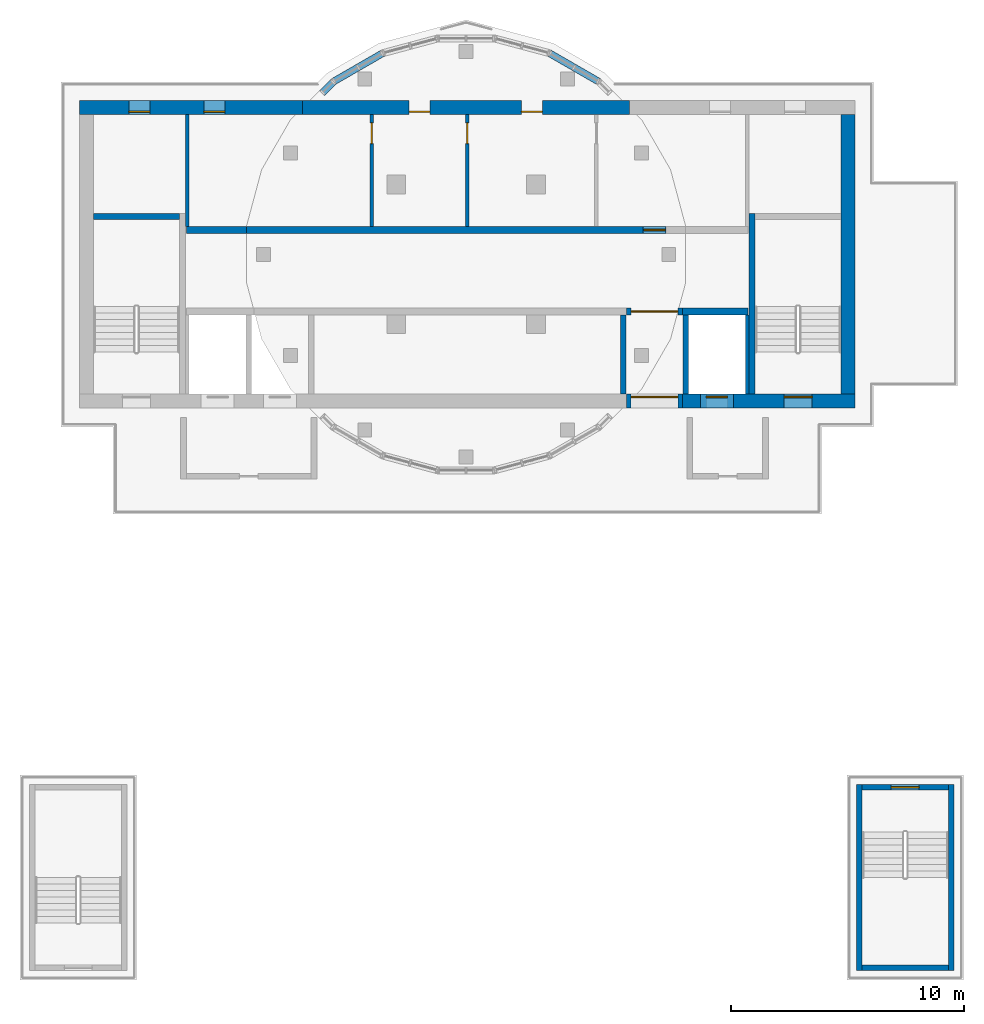
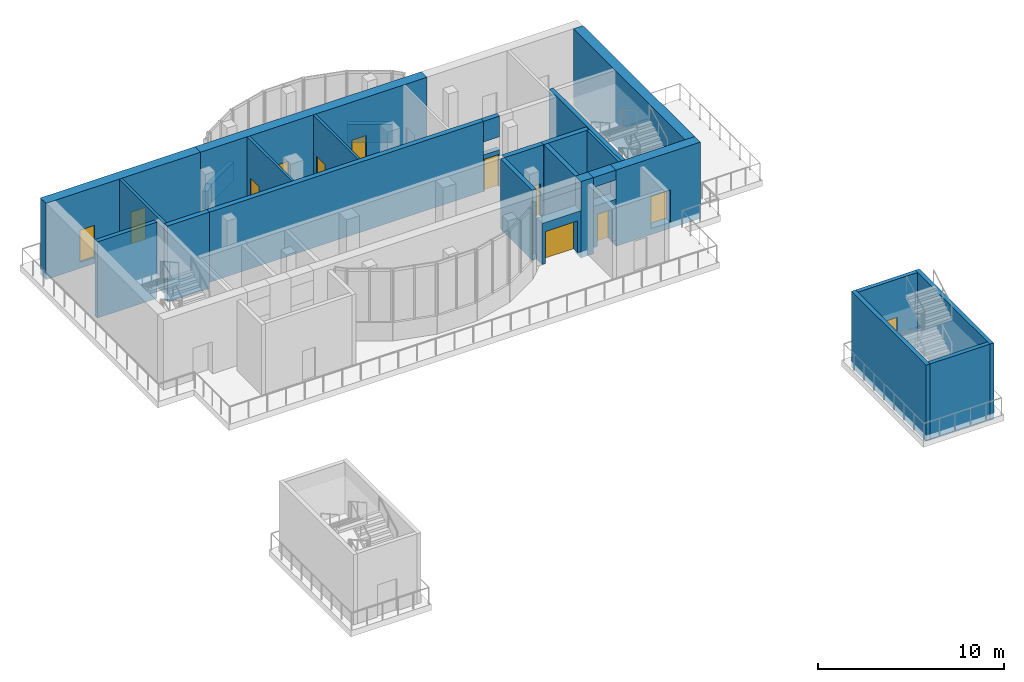
# One storey, part 5 of 10: 29 walls, 12 doors, 12 openings.
"""IFC4 building model written with IfcOpenShell, lengths in metres."""

from ifc_helpers import new_model, si_unit, direction, frame, frame_2d, origin, place, context, subcontext, project, spatial, rectangle, extrude, source, transform, mapped, material, layer, layer_set, type_object, element, fill, save


model = new_model("IFC4")

# Units and contexts
model_context = context("Model", 3, precision=1e-05, world=origin(), true_north=direction((0.0, 1.0)))
body_context = subcontext(model_context, "Body", "Model", "MODEL_VIEW")
ifc_project = project(units=[si_unit("LENGTHUNIT", "METRE"), si_unit("AREAUNIT", "SQUARE_METRE"), si_unit("VOLUMEUNIT", "CUBIC_METRE"), si_unit("PLANEANGLEUNIT", "RADIAN"), si_unit("MASSUNIT", "GRAM", prefix="KILO")], contexts=[model_context])

# Site, building, storey
site_placement = place(None, origin())
site = spatial("IfcSite", under=ifc_project, at=site_placement, CompositionType="ELEMENT")
building_placement = place(site_placement, origin())
building = spatial("IfcBuilding", under=site, at=building_placement, Name="Kilnfold Tower and Market Hall", CompositionType="ELEMENT")
storey_placement = place(building_placement, frame((0.0, 0.0, 323.800048828125)))
storey = spatial("IfcBuildingStorey", under=building, at=storey_placement, Name="L81 Crown Plant", CompositionType="ELEMENT", Elevation=323.800048828125)

# Walls
ifc_material_1 = material(Name="Concrete C50", Category="concrete")
ifc_layer_1 = layer(ifc_material_1, 0.25)
ifc_layer_set_1 = layer_set([ifc_layer_1], Name="Concrete C50")
wall_type_1 = type_object("IfcWallType", Name="CORE WALL 250 C50", PredefinedType="SHEAR", material=ifc_layer_set_1)
shared_shape_1 = source(origin(), body_context, "Body", "SweptSolid", [
    extrude(rectangle(XDim=7.75, YDim=0.25, at=frame_2d((3.875, 0.0))), origin(), (0.0, 0.0, 1.0), 5.0),
])
wall_1_placement = place(storey_placement, frame((13.27490234375, 9.0, -0.400146484375), z_axis=(0.0, 0.0, 1.0), x_axis=(0.0, 1.0, 0.0)))
element("IfcWall", 1, at=wall_1_placement, inside=storey, type_object=wall_type_1, Name="Stair enclosure ST2", PredefinedType="SHEAR", context=body_context, shape_type="MappedRepresentation", body=[
    mapped(shared_shape_1, transform((0.0, 0.0, 0.0))),
])
shared_shape_2 = source(origin(), body_context, "Body", "SweptSolid", [
    extrude(rectangle(XDim=3.699951171875, YDim=0.25, at=frame_2d((1.85009765625, 0.0))), origin(), (0.0, 0.0, 1.0), 5.0),
])
for number, where, z_axis, x_axis, name in (
    (2, (-15.0, 16.625, -0.400146484375), (0.0, 0.0, 1.0), (1.0, 0.0, 0.0), "Stair enclosure ST1"),
    (3, (18.0, -15.625, -0.400146484375), (0.0, 0.0, 1.0), (1.0, 0.0, 0.0), "Stair enclosure ST4"),
):
    element("IfcWall", number, at=place(storey_placement, frame(where, z_axis=z_axis, x_axis=x_axis)), inside=storey, type_object=wall_type_1, Name=name, PredefinedType="SHEAR", context=body_context, shape_type="MappedRepresentation", body=[
        mapped(shared_shape_2, transform((0.0, 0.0, 0.0))),
    ])

# Wall, opening, door
wall_2_placement = place(storey_placement, frame((18.0, -7.875, -0.400146484375), z_axis=(0.0, 0.0, 1.0), x_axis=(1.0, 0.0, 0.0)))
wall_2 = element("IfcWall", 4, at=wall_2_placement, inside=storey, type_object=wall_type_1, Name="Stair enclosure ST4", PredefinedType="SHEAR", context=body_context, shape_type="MappedRepresentation", body=[
    mapped(shared_shape_2, transform((0.0, 0.0, 0.0))),
])
opening_1_placement = place(wall_2_placement, frame((1.25, 0.0, 0.39990234375)))
opening_1 = element("IfcOpeningElement", 5, at=opening_1_placement, cuts=wall_2, Name="Opening SD1", PredefinedType="OPENING", context=body_context, shape_type="SweptSolid", body=[
    extrude(rectangle(XDim=1.199951171875, YDim=2.10009765625, at=frame_2d((0.60009765625, 1.050048828125))), frame((0.0, 0.135009765625, 0.0), z_axis=(0.0, -1.0, 0.0), x_axis=(1.0, 0.0, 0.0)), (0.0, 0.0, 1.0), 0.27001953125),
])
ifc_material_2 = material(Name="Steel door set with fire-resisting leaf", Category="steel")
door_type_1 = type_object("IfcDoorType", Name="STAIR FLOOR DOOR 1200X2100", OperationType="NOTDEFINED", PredefinedType="DOOR", material=ifc_material_2)
door_1_placement = place(opening_1_placement, origin())
door_1 = element("IfcDoor", 6, at=door_1_placement, inside=storey, type_object=door_type_1, Name="Exit stair ST4 door", OperationType="DOUBLE_DOOR_SINGLE_SWING", OverallHeight=2.10009765625, OverallWidth=1.199951171875, PredefinedType="DOOR", context=body_context, shape_type="SweptSolid", body=[
    extrude(rectangle(XDim=1.199951171875, YDim=2.10009765625, at=frame_2d((0.60009765625, 1.050048828125))), frame((0.0, 0.02490234375, 0.0), z_axis=(0.0, -1.0, 0.0), x_axis=(1.0, 0.0, 0.0)), (0.0, 0.0, 1.0), 0.050048828125),
])
fill(opening_1, door_1)

# Walls
shared_shape_3 = source(origin(), body_context, "Body", "SweptSolid", [
    extrude(rectangle(XDim=8.0, YDim=0.25, at=frame_2d((4.0, 0.0))), origin(), (0.0, 0.0, 1.0), 5.0),
])
for number, where, z_axis, x_axis, name in (
    (7, (17.875, -15.75, -0.400146484375), (0.0, 0.0, 1.0), (0.0, 1.0, 0.0), "Stair enclosure ST4"),
    (8, (21.824951171875, -15.75, -0.400146484375), (0.0, 0.0, 1.0), (0.0, 1.0, 0.0), "Stair enclosure ST4"),
):
    element("IfcWall", number, at=place(storey_placement, frame(where, z_axis=z_axis, x_axis=x_axis)), inside=storey, type_object=wall_type_1, Name=name, PredefinedType="SHEAR", context=body_context, shape_type="MappedRepresentation", body=[
        mapped(shared_shape_3, transform((0.0, 0.0, 0.0))),
    ])
ifc_material_3 = material(Name="Concrete C50", Category="concrete")
ifc_layer_2 = layer(ifc_material_3, 0.300048828125)
ifc_layer_set_2 = layer_set([ifc_layer_2], Name="Concrete C50")
wall_type_2 = type_object("IfcWallType", Name="CORE WALL 300 C50", PredefinedType="SHEAR", material=ifc_layer_set_2)
shared_shape_4 = source(origin(), body_context, "Body", "SweptSolid", [
    extrude(rectangle(XDim=2.820068359375, YDim=0.300048828125, at=frame_2d((1.41015625, 0.0))), origin(), (0.0, 0.0, 1.0), 5.0),
])
wall_3_placement = place(storey_placement, frame((10.2900390625, 12.550048828125, -0.400146484375), z_axis=(0.0, 0.0, 1.0), x_axis=(1.0, 0.0, 0.0)))
element("IfcWall", 9, at=wall_3_placement, inside=storey, type_object=wall_type_2, Name="Core spine wall", PredefinedType="SHEAR", context=body_context, shape_type="MappedRepresentation", body=[
    mapped(shared_shape_4, transform((0.0, 0.0, 0.0))),
])

# Wall, opening, door
ifc_material_4 = material(Name="Concrete C50", Category="concrete")
ifc_layer_3 = layer(ifc_material_4, 0.60009765625)
ifc_layer_set_3 = layer_set([ifc_layer_3], Name="Concrete C50")
wall_type_3 = type_object("IfcWallType", Name="CORE WALL 600 C50", PredefinedType="SHEAR", material=ifc_layer_set_3)
shared_shape_5 = source(origin(), body_context, "Body", "SweptSolid", [
    extrude(rectangle(XDim=5.22998046875, YDim=0.60009765625, at=frame_2d((2.614990234375, 0.0))), origin(), (0.0, 0.0, 1.0), 5.0),
])
wall_4_placement = place(storey_placement, frame((12.469970703125, 8.699951171875, -0.400146484375), z_axis=(0.0, 0.0, 1.0), x_axis=(1.0, 0.0, 0.0)))
wall_4 = element("IfcWall", 10, at=wall_4_placement, inside=storey, type_object=wall_type_3, Name="Core outer wall south", PredefinedType="SHEAR", context=body_context, shape_type="MappedRepresentation", body=[
    mapped(shared_shape_5, transform((0.0, 0.0, 0.0))),
])
opening_2_placement = place(wall_4_placement, frame((2.179931640625, 0.0, 0.39990234375)))
opening_2 = element("IfcOpeningElement", 11, at=opening_2_placement, cuts=wall_4, Name="Opening SD1", PredefinedType="OPENING", context=body_context, shape_type="SweptSolid", body=[
    extrude(rectangle(XDim=1.199951171875, YDim=2.10009765625, at=frame_2d((0.60009765625, 1.050048828125))), frame((0.0, 0.31005859375, 0.0), z_axis=(0.0, -1.0, 0.0), x_axis=(1.0, 0.0, 0.0)), (0.0, 0.0, 1.0), 0.6201171875),
])
door_2_placement = place(opening_2_placement, origin())
door_2 = element("IfcDoor", 12, at=door_2_placement, inside=storey, type_object=door_type_1, Name="Exit stair ST2 door", OperationType="DOUBLE_DOOR_SINGLE_SWING", OverallHeight=2.10009765625, OverallWidth=1.199951171875, PredefinedType="DOOR", context=body_context, shape_type="SweptSolid", body=[
    extrude(rectangle(XDim=1.199951171875, YDim=2.10009765625, at=frame_2d((0.60009765625, 1.050048828125))), frame((0.0, 0.205078125, 0.0), z_axis=(0.0, -1.0, 0.0), x_axis=(1.0, 0.0, 0.0)), (0.0, 0.0, 1.0), 0.050048828125),
])
fill(opening_2, door_2)

# Wall
shared_shape_6 = source(origin(), body_context, "Body", "SweptSolid", [
    extrude(rectangle(XDim=0.780029296875, YDim=0.60009765625, at=frame_2d((0.39013671875, 0.0))), origin(), (0.0, 0.0, 1.0), 5.0),
])
wall_5_placement = place(storey_placement, frame((10.2900390625, 8.699951171875, -0.400146484375), z_axis=(0.0, 0.0, 1.0), x_axis=(1.0, 0.0, 0.0)))
element("IfcWall", 13, at=wall_5_placement, inside=storey, type_object=wall_type_3, Name="Core outer wall south", PredefinedType="SHEAR", context=body_context, shape_type="MappedRepresentation", body=[
    mapped(shared_shape_6, transform((0.0, 0.0, 0.0))),
])

# Wall, openings, doors
shared_shape_7 = source(origin(), body_context, "Body", "SweptSolid", [
    extrude(rectangle(XDim=14.0400390625, YDim=0.60009765625, at=frame_2d((7.02001953125, 0.0))), origin(), (0.0, 0.0, 1.0), 4.599853515625),
])
wall_6_placement = place(storey_placement, frame((-6.02001953125, 21.300048828125, 0.0), z_axis=(0.0, 0.0, 1.0), x_axis=(1.0, 0.0, 0.0)))
wall_6 = element("IfcWall", 14, at=wall_6_placement, inside=storey, type_object=wall_type_3, Name="Core outer wall north", PredefinedType="SHEAR", context=body_context, shape_type="MappedRepresentation", body=[
    mapped(shared_shape_7, transform((0.0, 0.0, 0.0))),
])
opening_3_placement = place(wall_6_placement, frame((4.56982421875, 0.0, 0.0)))
opening_3 = element("IfcOpeningElement", 15, at=opening_3_placement, cuts=wall_6, Name="Opening KD1", PredefinedType="OPENING", context=body_context, shape_type="SweptSolid", body=[
    extrude(rectangle(XDim=0.89990234375, YDim=2.10009765625, at=frame_2d((0.449951171875, 1.050048828125))), frame((0.0, 0.31005859375, 0.0), z_axis=(0.0, -1.0, 0.0), x_axis=(1.0, 0.0, 0.0)), (0.0, 0.0, 1.0), 0.6201171875),
])
opening_4_placement = place(wall_6_placement, frame((9.393798828125, 0.0, 0.0)))
opening_4 = element("IfcOpeningElement", 16, at=opening_4_placement, cuts=wall_6, Name="Opening KD1", PredefinedType="OPENING", context=body_context, shape_type="SweptSolid", body=[
    extrude(rectangle(XDim=0.89990234375, YDim=2.10009765625, at=frame_2d((0.449951171875, 1.050048828125))), frame((0.0, 0.31005859375, 0.0), z_axis=(0.0, -1.0, 0.0), x_axis=(1.0, 0.0, 0.0)), (0.0, 0.0, 1.0), 0.6201171875),
])
ifc_material_5 = material(Name="Steel door set with fire-resisting leaf", Category="steel")
door_type_2 = type_object("IfcDoorType", Name="SERVICE DOOR 900X2100", OperationType="NOTDEFINED", PredefinedType="DOOR", material=ifc_material_5)
door_3_placement = place(opening_3_placement, origin())
door_3 = element("IfcDoor", 17, at=door_3_placement, inside=storey, type_object=door_type_2, Name="Core service door", OperationType="SINGLE_SWING_LEFT", OverallHeight=2.10009765625, OverallWidth=0.89990234375, PredefinedType="DOOR", context=body_context, shape_type="SweptSolid", body=[
    extrude(rectangle(XDim=0.89990234375, YDim=2.10009765625, at=frame_2d((0.449951171875, 1.050048828125))), frame((0.0, -0.15478515625, 0.0), z_axis=(0.0, -1.0, 0.0), x_axis=(1.0, 0.0, 0.0)), (0.0, 0.0, 1.0), 0.050048828125),
])
fill(opening_3, door_3)
door_4_placement = place(opening_4_placement, origin())
door_4 = element("IfcDoor", 18, at=door_4_placement, inside=storey, type_object=door_type_2, Name="Core service door", OperationType="SINGLE_SWING_RIGHT", OverallHeight=2.10009765625, OverallWidth=0.89990234375, PredefinedType="DOOR", context=body_context, shape_type="SweptSolid", body=[
    extrude(rectangle(XDim=0.89990234375, YDim=2.10009765625, at=frame_2d((0.449951171875, 1.050048828125))), frame((0.0, -0.15478515625, 0.0), z_axis=(0.0, -1.0, 0.0), x_axis=(1.0, 0.0, 0.0)), (0.0, 0.0, 1.0), 0.050048828125),
])
fill(opening_4, door_4)

shared_shape_8 = source(origin(), body_context, "Body", "SweptSolid", [
    extrude(rectangle(XDim=9.580078125, YDim=0.60009765625, at=frame_2d((4.7900390625, 0.0))), origin(), (0.0, 0.0, 1.0), 5.0),
])
wall_7_placement = place(storey_placement, frame((-15.60009765625, 21.300048828125, -0.400146484375), z_axis=(0.0, 0.0, 1.0), x_axis=(1.0, 0.0, 0.0)))
wall_7 = element("IfcWall", 19, at=wall_7_placement, inside=storey, type_object=wall_type_3, Name="Core outer wall north", PredefinedType="SHEAR", context=body_context, shape_type="MappedRepresentation", body=[
    mapped(shared_shape_8, transform((0.0, 0.0, 0.0))),
])
opening_5_placement = place(wall_7_placement, frame((5.340087890625, 0.0, 0.39990234375)))
opening_5 = element("IfcOpeningElement", 20, at=opening_5_placement, cuts=wall_7, Name="Opening KD1", PredefinedType="OPENING", context=body_context, shape_type="SweptSolid", body=[
    extrude(rectangle(XDim=0.89990234375, YDim=2.10009765625, at=frame_2d((0.449951171875, 1.050048828125))), frame((0.0, 0.31005859375, 0.0), z_axis=(0.0, -1.0, 0.0), x_axis=(1.0, 0.0, 0.0)), (0.0, 0.0, 1.0), 0.6201171875),
])
opening_6_placement = place(wall_7_placement, frame((2.125, 0.0, 0.39990234375)))
opening_6 = element("IfcOpeningElement", 21, at=opening_6_placement, cuts=wall_7, Name="Opening KD1", PredefinedType="OPENING", context=body_context, shape_type="SweptSolid", body=[
    extrude(rectangle(XDim=0.89990234375, YDim=2.10009765625, at=frame_2d((0.449951171875, 1.050048828125))), frame((0.0, 0.31005859375, 0.0), z_axis=(0.0, -1.0, 0.0), x_axis=(1.0, 0.0, 0.0)), (0.0, 0.0, 1.0), 0.6201171875),
])
door_5_placement = place(opening_5_placement, origin())
door_5 = element("IfcDoor", 22, at=door_5_placement, inside=storey, type_object=door_type_2, Name="Core service door", OperationType="SINGLE_SWING_RIGHT", OverallHeight=2.10009765625, OverallWidth=0.89990234375, PredefinedType="DOOR", context=body_context, shape_type="SweptSolid", body=[
    extrude(rectangle(XDim=0.89990234375, YDim=2.10009765625, at=frame_2d((0.449951171875, 1.050048828125))), frame((0.0, -0.15478515625, 0.0), z_axis=(0.0, -1.0, 0.0), x_axis=(1.0, 0.0, 0.0)), (0.0, 0.0, 1.0), 0.050048828125),
])
fill(opening_5, door_5)
door_6_placement = place(opening_6_placement, origin())
door_6 = element("IfcDoor", 23, at=door_6_placement, inside=storey, type_object=door_type_2, Name="Electrical riser access door", OperationType="SINGLE_SWING_LEFT", OverallHeight=2.10009765625, OverallWidth=0.89990234375, PredefinedType="DOOR", context=body_context, shape_type="SweptSolid", body=[
    extrude(rectangle(XDim=0.89990234375, YDim=2.10009765625, at=frame_2d((0.449951171875, 1.050048828125))), frame((0.0, -0.15478515625, 0.0), z_axis=(0.0, -1.0, 0.0), x_axis=(1.0, 0.0, 0.0)), (0.0, 0.0, 1.0), 0.050048828125),
])
fill(opening_6, door_6)

# Walls
shared_shape_9 = source(origin(), body_context, "Body", "SweptSolid", [
    extrude(rectangle(XDim=12.0, YDim=0.60009765625, at=frame_2d((6.0, 0.0))), origin(), (0.0, 0.0, 1.0), 5.0),
])
wall_8_placement = place(storey_placement, frame((17.39990234375, 9.0, -0.400146484375), z_axis=(0.0, 0.0, 1.0), x_axis=(0.0, 1.0, 0.0)))
element("IfcWall", 24, at=wall_8_placement, inside=storey, type_object=wall_type_3, Name="Core outer wall east", PredefinedType="SHEAR", context=body_context, shape_type="MappedRepresentation", body=[
    mapped(shared_shape_9, transform((0.0, 0.0, 0.0))),
])
shared_shape_10 = source(origin(), body_context, "Body", "SweptSolid", [
    extrude(rectangle(XDim=17.0087890625, YDim=0.300048828125, at=frame_2d((8.50439453125, 0.0))), origin(), (0.0, 0.0, 1.0), 4.599853515625),
])
wall_9_placement = place(storey_placement, frame((-8.418701171875, 16.050048828125, 0.0), z_axis=(0.0, 0.0, 1.0), x_axis=(1.0, 0.0, 0.0)))
element("IfcWall", 25, at=wall_9_placement, inside=storey, type_object=wall_type_2, Name="Core spine wall", PredefinedType="SHEAR", context=body_context, shape_type="MappedRepresentation", body=[
    mapped(shared_shape_10, transform((0.0, 0.0, 0.0))),
])
shared_shape_11 = source(origin(), body_context, "Body", "SweptSolid", [
    extrude(rectangle(XDim=2.59130859375, YDim=0.300048828125, at=frame_2d((1.295654296875, 0.0))), origin(), (0.0, 0.0, 1.0), 5.0),
])
wall_10_placement = place(storey_placement, frame((-11.010009765625, 16.050048828125, -0.400146484375), z_axis=(0.0, 0.0, 1.0), x_axis=(1.0, 0.0, 0.0)))
element("IfcWall", 26, at=wall_10_placement, inside=storey, type_object=wall_type_2, Name="Core spine wall", PredefinedType="SHEAR", context=body_context, shape_type="MappedRepresentation", body=[
    mapped(shared_shape_11, transform((0.0, 0.0, 0.0))),
])
shared_shape_12 = source(origin(), body_context, "Body", "SweptSolid", [
    extrude(rectangle(XDim=1.39990234375, YDim=0.60009765625, at=frame_2d((0.699951171875, 0.0))), origin(), (0.0, 0.0, 1.0), 0.64990234375),
])
wall_11_placement = place(storey_placement, frame((11.070068359375, 8.699951171875, 3.949951171875), z_axis=(0.0, 0.0, 1.0), x_axis=(1.0, 0.0, 0.0)))
element("IfcWall", 27, at=wall_11_placement, inside=storey, type_object=wall_type_3, Name="Core wall over opening", PredefinedType="SHEAR", context=body_context, shape_type="MappedRepresentation", body=[
    mapped(shared_shape_12, transform((0.0, 0.0, 0.0))),
])
shared_shape_13 = source(origin(), body_context, "Body", "SweptSolid", [
    extrude(rectangle(XDim=1.0, YDim=0.300048828125, at=frame_2d((0.5, 0.0))), origin(), (0.0, 0.0, 1.0), 1.349853515625),
])
wall_12_placement = place(storey_placement, frame((8.590087890625, 16.050048828125, 3.25), z_axis=(0.0, 0.0, 1.0), x_axis=(1.0, 0.0, 0.0)))
element("IfcWall", 28, at=wall_12_placement, inside=storey, type_object=wall_type_2, Name="Core wall over opening", PredefinedType="SHEAR", context=body_context, shape_type="MappedRepresentation", body=[
    mapped(shared_shape_13, transform((0.0, 0.0, 0.0))),
])
ifc_material_6 = material(Name="Precast concrete C50/60", Category="concrete")
ifc_layer_4 = layer(ifc_material_6, 0.300048828125)
ifc_layer_set_4 = layer_set([ifc_layer_4], Name="Precast concrete C50/60")
wall_type_4 = type_object("IfcWallType", Name="PRECAST WALL 300", PredefinedType="SOLIDWALL", material=ifc_layer_set_4)
shared_shape_14 = source(origin(), body_context, "Body", "SweptSolid", [
    extrude(rectangle(XDim=2.4404296875, YDim=0.300048828125, at=frame_2d((1.22021484375, 0.0))), origin(), (0.0, 0.0, 1.0), 1.199951171875),
])
for number, where, z_axis, x_axis, name in (
    (29, (6.691162109375, 22.4169921875, 0.0), (0.0, 0.0, 1.0), (-0.866030657337, 0.49999090047, 0.0), "Drum knee wall L81 11"),
    (30, (-2.57763671875, 23.63720703125, 0.0), (0.0, 0.0, 1.0), (-0.866030657337, -0.49999090047, 0.0), "Drum knee wall L81 15"),
):
    element("IfcWall", number, at=place(storey_placement, frame(where, z_axis=z_axis, x_axis=x_axis)), inside=storey, type_object=wall_type_4, Name=name, PredefinedType="SOLIDWALL", context=body_context, shape_type="MappedRepresentation", body=[
        mapped(shared_shape_14, transform((0.0, 0.0, 0.0))),
    ])
shared_shape_15 = source(origin(), body_context, "Body", "SweptSolid", [
    extrude(rectangle(XDim=0.697265625, YDim=0.300048828125, at=frame_2d((0.3486328125, 0.0))), origin(), (0.0, 0.0, 1.0), 1.199951171875),
])
wall_13_placement = place(storey_placement, frame((-4.691162109375, 22.4169921875, 0.0), z_axis=(0.0, 0.0, 1.0), x_axis=(-0.706931689754, -0.707281829274, 0.0)))
element("IfcWall", 31, at=wall_13_placement, inside=storey, type_object=wall_type_4, Name="Drum knee wall L81 16", PredefinedType="SOLIDWALL", context=body_context, shape_type="MappedRepresentation", body=[
    mapped(shared_shape_15, transform((0.0, 0.0, 0.0))),
])

# Wall, opening, door
ifc_material_7 = material(Name="Gypsum shaft wall system")
ifc_layer_5 = layer(ifc_material_7, 0.60009765625)
ifc_layer_set_5 = layer_set([ifc_layer_5], Name="Gypsum shaft wall system")
wall_type_5 = type_object("IfcWallType", Name="LOBBY WALL 600", PredefinedType="PARTITIONING", material=ifc_layer_set_5)
shared_shape_16 = source(origin(), body_context, "Body", "SweptSolid", [
    extrude(rectangle(XDim=1.39990234375, YDim=0.60009765625, at=frame_2d((0.699951171875, 0.0))), origin(), (0.0, 0.0, 1.0), 2.699951171875),
])
wall_14_placement = place(storey_placement, frame((11.070068359375, 8.699951171875, 0.0), z_axis=(0.0, 0.0, 1.0), x_axis=(1.0, 0.0, 0.0)))
wall_14 = element("IfcWall", 32, at=wall_14_placement, inside=storey, type_object=wall_type_5, Name="Core wall infill", PredefinedType="PARTITIONING", context=body_context, shape_type="MappedRepresentation", body=[
    mapped(shared_shape_16, transform((0.0, 0.0, 0.0))),
])
opening_7_placement = place(wall_14_placement, frame((0.25, 0.0, 0.0)))
opening_7 = element("IfcOpeningElement", 33, at=opening_7_placement, cuts=wall_14, Name="Opening LD1", PredefinedType="OPENING", context=body_context, shape_type="SweptSolid", body=[
    extrude(rectangle(XDim=0.89990234375, YDim=2.10009765625, at=frame_2d((0.449951171875, 1.050048828125))), frame((0.0, 0.31005859375, 0.0), z_axis=(0.0, -1.0, 0.0), x_axis=(1.0, 0.0, 0.0)), (0.0, 0.0, 1.0), 0.6201171875),
])
ifc_material_8 = material(Name="Steel door set with fire-resisting leaf", Category="steel")
door_type_3 = type_object("IfcDoorType", Name="FIREFIGHTING LANDING DOOR 900X2100", OperationType="NOTDEFINED", PredefinedType="DOOR", material=ifc_material_8)
door_7_placement = place(opening_7_placement, origin())
door_7 = element("IfcDoor", 34, at=door_7_placement, inside=storey, type_object=door_type_3, Name="Landing door FF3", OperationType="SLIDING_TO_LEFT", OverallHeight=2.10009765625, OverallWidth=0.89990234375, PredefinedType="DOOR", context=body_context, shape_type="SweptSolid", body=[
    extrude(rectangle(XDim=0.89990234375, YDim=2.10009765625, at=frame_2d((0.449951171875, 1.050048828125))), frame((0.0, 0.205078125, 0.0), z_axis=(0.0, -1.0, 0.0), x_axis=(1.0, 0.0, 0.0)), (0.0, 0.0, 1.0), 0.050048828125),
])
fill(opening_7, door_7)

shared_shape_17 = source(origin(), body_context, "Body", "SweptSolid", [
    extrude(rectangle(XDim=2.400146484375, YDim=0.60009765625, at=frame_2d((1.2001953125, 0.0))), origin(), (0.0, 0.0, 1.0), 2.699951171875),
])
wall_15_placement = place(storey_placement, frame((7.889892578125, 8.699951171875, 0.0), z_axis=(0.0, 0.0, 1.0), x_axis=(1.0, 0.0, 0.0)))
wall_15 = element("IfcWall", 35, at=wall_15_placement, inside=storey, type_object=wall_type_5, Name="Core wall infill", PredefinedType="PARTITIONING", context=body_context, shape_type="MappedRepresentation", body=[
    mapped(shared_shape_17, transform((0.0, 0.0, 0.0))),
])
opening_8_placement = place(wall_15_placement, frame((0.199951171875, 0.0, 0.0)))
opening_8 = element("IfcOpeningElement", 36, at=opening_8_placement, cuts=wall_15, Name="Opening VD2", PredefinedType="OPENING", context=body_context, shape_type="SweptSolid", body=[
    extrude(rectangle(XDim=2.0, YDim=2.10009765625, at=frame_2d((1.0, 1.050048828125))), frame((0.0, 0.31005859375, 0.0), z_axis=(0.0, -1.0, 0.0), x_axis=(1.0, 0.0, 0.0)), (0.0, 0.0, 1.0), 0.6201171875),
])
ifc_material_9 = material(Name="Steel door set with fire-resisting leaf", Category="steel")
door_type_4 = type_object("IfcDoorType", Name="LIFT LOBBY ENTRANCE DOOR 2000X2100", OperationType="NOTDEFINED", PredefinedType="DOOR", material=ifc_material_9)
door_8_placement = place(opening_8_placement, origin())
door_8 = element("IfcDoor", 37, at=door_8_placement, inside=storey, type_object=door_type_4, Name="Lift lobby entrance door", OperationType="DOUBLE_DOOR_SINGLE_SWING", OverallHeight=2.10009765625, OverallWidth=2.0, PredefinedType="DOOR", context=body_context, shape_type="SweptSolid", body=[
    extrude(rectangle(XDim=2.0, YDim=2.10009765625, at=frame_2d((1.0, 1.050048828125))), frame((0.0, 0.205078125, 0.0), z_axis=(0.0, -1.0, 0.0), x_axis=(1.0, 0.0, 0.0)), (0.0, 0.0, 1.0), 0.050048828125),
])
fill(opening_8, door_8)

ifc_material_10 = material(Name="Gypsum shaft wall system")
ifc_layer_6 = layer(ifc_material_10, 0.300048828125)
ifc_layer_set_6 = layer_set([ifc_layer_6], Name="Gypsum shaft wall system")
wall_type_6 = type_object("IfcWallType", Name="SHAFT WALL 300", PredefinedType="PARTITIONING", material=ifc_layer_set_6)
shared_shape_18 = source(origin(), body_context, "Body", "SweptSolid", [
    extrude(rectangle(XDim=2.400146484375, YDim=0.300048828125, at=frame_2d((1.2001953125, 0.0))), origin(), (0.0, 0.0, 1.0), 4.599853515625),
])
wall_16_placement = place(storey_placement, frame((7.889892578125, 12.550048828125, 0.0), z_axis=(0.0, 0.0, 1.0), x_axis=(1.0, 0.0, 0.0)))
wall_16 = element("IfcWall", 38, at=wall_16_placement, inside=storey, type_object=wall_type_6, Name="Lift shaft front wall", PredefinedType="PARTITIONING", context=body_context, shape_type="MappedRepresentation", body=[
    mapped(shared_shape_18, transform((0.0, 0.0, 0.0))),
])
opening_9_placement = place(wall_16_placement, frame((0.199951171875, 0.0, 0.0)))
opening_9 = element("IfcOpeningElement", 39, at=opening_9_placement, cuts=wall_16, Name="Opening VD2", PredefinedType="OPENING", context=body_context, shape_type="SweptSolid", body=[
    extrude(rectangle(XDim=2.0, YDim=2.10009765625, at=frame_2d((1.0, 1.050048828125))), frame((0.0, 0.16015625, 0.0), z_axis=(0.0, -1.0, 0.0), x_axis=(1.0, 0.0, 0.0)), (0.0, 0.0, 1.0), 0.320068359375),
])
door_9_placement = place(opening_9_placement, origin())
door_9 = element("IfcDoor", 40, at=door_9_placement, inside=storey, type_object=door_type_4, Name="Lift lobby entrance door", OperationType="DOUBLE_DOOR_SINGLE_SWING", OverallHeight=2.10009765625, OverallWidth=2.0, PredefinedType="DOOR", context=body_context, shape_type="SweptSolid", body=[
    extrude(rectangle(XDim=2.0, YDim=2.10009765625, at=frame_2d((1.0, 1.050048828125))), frame((0.0, 0.02490234375, 0.0), z_axis=(0.0, -1.0, 0.0), x_axis=(1.0, 0.0, 0.0)), (0.0, 0.0, 1.0), 0.050048828125),
])
fill(opening_9, door_9)

# Walls
ifc_material_11 = material(Name="Gypsum shaft wall system")
ifc_layer_7 = layer(ifc_material_11, 0.1650390625)
ifc_layer_set_7 = layer_set([ifc_layer_7], Name="Gypsum shaft wall system")
wall_type_7 = type_object("IfcWallType", Name="SHAFT WALL 165", PredefinedType="PARTITIONING", material=ifc_layer_set_7)
shared_shape_19 = source(origin(), body_context, "Body", "SweptSolid", [
    extrude(rectangle(XDim=4.800048828125, YDim=0.1650390625, at=frame_2d((2.39990234375, 0.0))), origin(), (0.0, 0.0, 1.0), 4.599853515625),
])
wall_17_placement = place(storey_placement, frame((-10.967529296875, 16.199951171875, 0.0), z_axis=(0.0, 0.0, 1.0), x_axis=(0.0, 1.0, 0.0)))
element("IfcWall", 41, at=wall_17_placement, inside=storey, type_object=wall_type_7, Name="Lift shaft wall", PredefinedType="PARTITIONING", context=body_context, shape_type="MappedRepresentation", body=[
    mapped(shared_shape_19, transform((0.0, 0.0, 0.0))),
])
ifc_material_12 = material(Name="Gypsum shaft wall system")
ifc_layer_8 = layer(ifc_material_12, 0.25)
ifc_layer_set_8 = layer_set([ifc_layer_8], Name="Gypsum shaft wall system")
wall_type_8 = type_object("IfcWallType", Name="SHAFT WALL 250", PredefinedType="PARTITIONING", material=ifc_layer_set_8)
shared_shape_20 = source(origin(), body_context, "Body", "SweptSolid", [
    extrude(rectangle(XDim=3.39990234375, YDim=0.25, at=frame_2d((1.699951171875, 0.0))), origin(), (0.0, 0.0, 1.0), 4.599853515625),
])
for number, where, z_axis, x_axis, name in (
    (42, (10.429931640625, 9.0, 0.0), (0.0, 0.0, 1.0), (0.0, 1.0, 0.0), "Lift shaft wall"),
    (43, (7.75, 9.0, 0.0), (0.0, 0.0, 1.0), (0.0, 1.0, 0.0), "Lift shaft wall"),
):
    element("IfcWall", number, at=place(storey_placement, frame(where, z_axis=z_axis, x_axis=x_axis)), inside=storey, type_object=wall_type_8, Name=name, PredefinedType="PARTITIONING", context=body_context, shape_type="MappedRepresentation", body=[
        mapped(shared_shape_20, transform((0.0, 0.0, 0.0))),
    ])
shared_shape_21 = source(origin(), body_context, "Body", "SweptSolid", [
    extrude(rectangle(XDim=3.39990234375, YDim=0.1650390625, at=frame_2d((1.699951171875, 0.0))), origin(), (0.0, 0.0, 1.0), 4.599853515625),
])
wall_18_placement = place(storey_placement, frame((13.0673828125, 9.0, 0.0), z_axis=(0.0, 0.0, 1.0), x_axis=(0.0, 1.0, 0.0)))
element("IfcWall", 44, at=wall_18_placement, inside=storey, type_object=wall_type_7, Name="Lift shaft wall", PredefinedType="PARTITIONING", context=body_context, shape_type="MappedRepresentation", body=[
    mapped(shared_shape_21, transform((0.0, 0.0, 0.0))),
])

# Wall, opening, door
ifc_material_13 = material(Name="Gypsum shaft wall system")
ifc_layer_9 = layer(ifc_material_13, 0.14990234375)
ifc_layer_set_9 = layer_set([ifc_layer_9], Name="Gypsum shaft wall system")
wall_type_9 = type_object("IfcWallType", Name="ROOM WALL 150", PredefinedType="PARTITIONING", material=ifc_layer_set_9)
shared_shape_22 = source(origin(), body_context, "Body", "SweptSolid", [
    extrude(rectangle(XDim=4.800048828125, YDim=0.14990234375, at=frame_2d((2.39990234375, 0.0))), origin(), (0.0, 0.0, 1.0), 4.599853515625),
])
wall_19_placement = place(storey_placement, frame((-3.05029296875, 16.199951171875, 0.0), z_axis=(0.0, 0.0, 1.0), x_axis=(0.0, 1.0, 0.0)))
wall_19 = element("IfcWall", 45, at=wall_19_placement, inside=storey, type_object=wall_type_9, Name="Core room wall", PredefinedType="PARTITIONING", context=body_context, shape_type="MappedRepresentation", body=[
    mapped(shared_shape_22, transform((0.0, 0.0, 0.0))),
])
opening_10_placement = place(wall_19_placement, frame((3.550048828125, 0.0, 0.0)))
opening_10 = element("IfcOpeningElement", 46, at=opening_10_placement, cuts=wall_19, Name="Opening KD1", PredefinedType="OPENING", context=body_context, shape_type="SweptSolid", body=[
    extrude(rectangle(XDim=0.89990234375, YDim=2.10009765625, at=frame_2d((0.449951171875, 1.050048828125))), frame((0.0, 0.0849609375, 0.0), z_axis=(0.0, -1.0, 0.0), x_axis=(1.0, 0.0, 0.0)), (0.0, 0.0, 1.0), 0.169921875),
])
door_10_placement = place(opening_10_placement, origin())
door_10 = element("IfcDoor", 47, at=door_10_placement, inside=storey, type_object=door_type_2, Name="Core service door", OperationType="SINGLE_SWING_RIGHT", OverallHeight=2.10009765625, OverallWidth=0.89990234375, PredefinedType="DOOR", context=body_context, shape_type="SweptSolid", body=[
    extrude(rectangle(XDim=0.89990234375, YDim=2.10009765625, at=frame_2d((0.449951171875, 1.050048828125))), frame((0.0, 0.02490234375, 0.0), z_axis=(0.0, -1.0, 0.0), x_axis=(1.0, 0.0, 0.0)), (0.0, 0.0, 1.0), 0.050048828125),
])
fill(opening_10, door_10)

wall_20_placement = place(storey_placement, frame((1.050048828125, 16.199951171875, 0.0), z_axis=(0.0, 0.0, 1.0), x_axis=(0.0, 1.0, 0.0)))
wall_20 = element("IfcWall", 48, at=wall_20_placement, inside=storey, type_object=wall_type_9, Name="Core room wall", PredefinedType="PARTITIONING", context=body_context, shape_type="MappedRepresentation", body=[
    mapped(shared_shape_22, transform((0.0, 0.0, 0.0))),
])
opening_11_placement = place(wall_20_placement, frame((3.550048828125, 0.0, 0.0)))
opening_11 = element("IfcOpeningElement", 49, at=opening_11_placement, cuts=wall_20, Name="Opening KD1", PredefinedType="OPENING", context=body_context, shape_type="SweptSolid", body=[
    extrude(rectangle(XDim=0.89990234375, YDim=2.10009765625, at=frame_2d((0.449951171875, 1.050048828125))), frame((0.0, 0.0849609375, 0.0), z_axis=(0.0, -1.0, 0.0), x_axis=(1.0, 0.0, 0.0)), (0.0, 0.0, 1.0), 0.169921875),
])
door_11_placement = place(opening_11_placement, origin())
door_11 = element("IfcDoor", 50, at=door_11_placement, inside=storey, type_object=door_type_2, Name="Core service door", OperationType="SINGLE_SWING_LEFT", OverallHeight=2.10009765625, OverallWidth=0.89990234375, PredefinedType="DOOR", context=body_context, shape_type="SweptSolid", body=[
    extrude(rectangle(XDim=0.89990234375, YDim=2.10009765625, at=frame_2d((0.449951171875, 1.050048828125))), frame((0.0, 0.02490234375, 0.0), z_axis=(0.0, -1.0, 0.0), x_axis=(1.0, 0.0, 0.0)), (0.0, 0.0, 1.0), 0.050048828125),
])
fill(opening_11, door_11)

ifc_material_14 = material(Name="Gypsum shaft wall system")
ifc_layer_10 = layer(ifc_material_14, 0.300048828125)
ifc_layer_set_10 = layer_set([ifc_layer_10], Name="Gypsum shaft wall system")
wall_type_10 = type_object("IfcWallType", Name="LOBBY WALL 300", PredefinedType="PARTITIONING", material=ifc_layer_set_10)
shared_shape_23 = source(origin(), body_context, "Body", "SweptSolid", [
    extrude(rectangle(XDim=1.0, YDim=0.300048828125, at=frame_2d((0.5, 0.0))), origin(), (0.0, 0.0, 1.0), 2.39990234375),
])
wall_21_placement = place(storey_placement, frame((8.590087890625, 16.050048828125, 0.0), z_axis=(0.0, 0.0, 1.0), x_axis=(1.0, 0.0, 0.0)))
wall_21 = element("IfcWall", 51, at=wall_21_placement, inside=storey, type_object=wall_type_10, Name="Core wall infill", PredefinedType="PARTITIONING", context=body_context, shape_type="MappedRepresentation", body=[
    mapped(shared_shape_23, transform((0.0, 0.0, 0.0))),
])
opening_12_placement = place(wall_21_placement, frame((0.050048828125, 0.0, 0.0)))
opening_12 = element("IfcOpeningElement", 52, at=opening_12_placement, cuts=wall_21, Name="Opening KD1", PredefinedType="OPENING", context=body_context, shape_type="SweptSolid", body=[
    extrude(rectangle(XDim=0.89990234375, YDim=2.10009765625, at=frame_2d((0.449951171875, 1.050048828125))), frame((0.0, 0.16015625, 0.0), z_axis=(0.0, -1.0, 0.0), x_axis=(1.0, 0.0, 0.0)), (0.0, 0.0, 1.0), 0.320068359375),
])
door_12_placement = place(opening_12_placement, origin())
door_12 = element("IfcDoor", 53, at=door_12_placement, inside=storey, type_object=door_type_2, Name="Core service door", OperationType="SINGLE_SWING_LEFT", OverallHeight=2.10009765625, OverallWidth=0.89990234375, PredefinedType="DOOR", context=body_context, shape_type="SweptSolid", body=[
    extrude(rectangle(XDim=0.89990234375, YDim=2.10009765625, at=frame_2d((0.449951171875, 1.050048828125))), frame((0.0, 0.02490234375, 0.0), z_axis=(0.0, -1.0, 0.0), x_axis=(1.0, 0.0, 0.0)), (0.0, 0.0, 1.0), 0.050048828125),
])
fill(opening_12, door_12)

save(model, "model.ifc")
